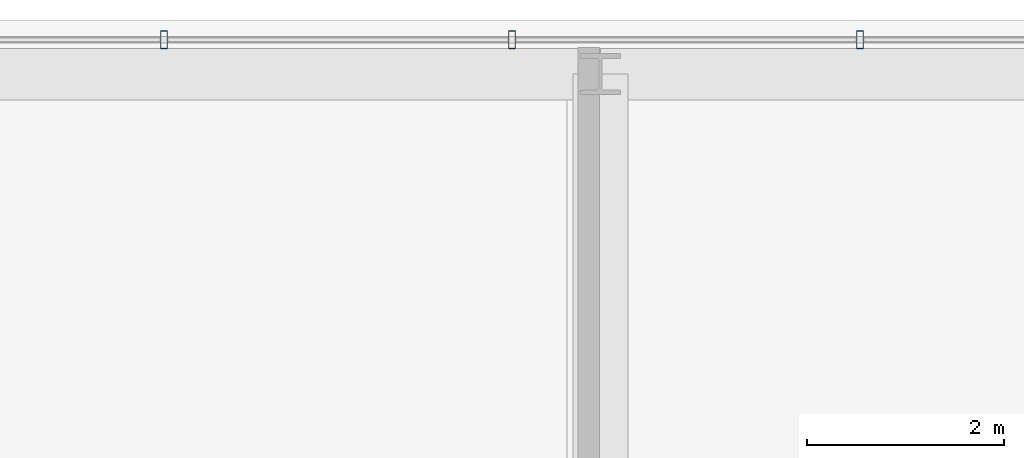
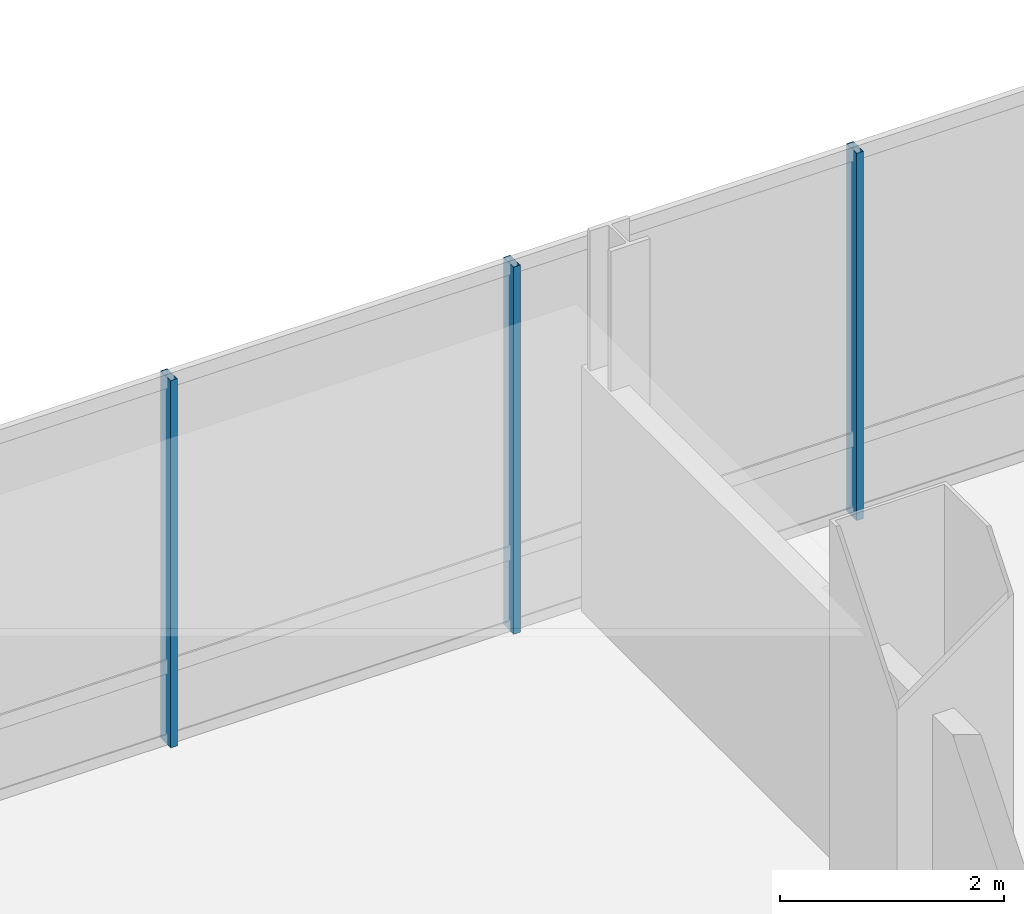
# One storey, part 27 of 41: 3 members, 1 element without a shape of its own.
"""IFC4 building model written with IfcOpenShell, lengths in metres."""

from ifc_helpers import new_model, si_unit, direction, frame, origin, origin_2d, place, context, subcontext, project, spatial, hollow_rectangle, extrude, material, material_profile, profile_set, type_object, element, aggregate, save


model = new_model("IFC4")

# Units and contexts
model_context = context("Model", 3, precision=1e-05, world=origin(), true_north=direction((0.0, 1.0)))
body_context = subcontext(model_context, "Body", "Model", "MODEL_VIEW")
ifc_project = project(units=[si_unit("LENGTHUNIT", "METRE"), si_unit("AREAUNIT", "SQUARE_METRE"), si_unit("VOLUMEUNIT", "CUBIC_METRE"), si_unit("PLANEANGLEUNIT", "RADIAN"), si_unit("MASSUNIT", "GRAM", prefix="KILO")], contexts=[model_context])

# Site, building, storey
site_placement = place(None, origin())
site = spatial("IfcSite", under=ifc_project, at=site_placement, CompositionType="ELEMENT")
building_placement = place(site_placement, origin())
building = spatial("IfcBuilding", under=site, at=building_placement, Name="Punatoya Terracotta Tower", CompositionType="ELEMENT")
storey_placement = place(building_placement, frame((0.0, 0.0, 288.0)))
storey = spatial("IfcBuildingStorey", under=building, at=storey_placement, Name="L68", CompositionType="ELEMENT", Elevation=288.0)

# Curtain wall, members
ifc_material_1 = material(Name="Aluminium 6063-T6 + Double Low-E Glass", Category="aluminium")
curtain_wall_type = type_object("IfcCurtainWallType", Name="CW-M3", PredefinedType="NOTDEFINED", material=ifc_material_1)
curtain_wall_placement = place(storey_placement, origin())
curtain_wall = element("IfcCurtainWall", 1, at=curtain_wall_placement, inside=storey, type_object=curtain_wall_type, Name="L68 Curtain Wall CW-L68-N09-1", PredefinedType="NOTDEFINED")
ifc_material_2 = material(Name="Aluminium 6063-T6", Category="aluminium")
ifc_material_profile = material_profile(ifc_material_2, hollow_rectangle(XDim=0.070068359375, YDim=0.179931640625, WallThickness=0.00390625, at=origin_2d()))
ifc_profile_set = profile_set([ifc_material_profile], Name="Aluminium 6063-T6")
member_type = type_object("IfcMemberType", Name="CW-MUL-M3", PredefinedType="MULLION", material=ifc_profile_set)
member_1_placement = place(storey_placement, frame((6.43505859375, 23.25, 0.0), z_axis=(0.0, 0.0, 1.0), x_axis=(1.0, 0.0, 0.0)))
member_1 = element("IfcMember", 2, at=member_1_placement, type_object=member_type, Name="CW-L68-N09-1 Mullion 03", PredefinedType="MULLION", context=body_context, shape_type="SweptSolid", body=[
    extrude(hollow_rectangle(XDim=0.070068359375, YDim=0.179931640625, WallThickness=0.00390625, at=origin_2d()), origin(), (0.0, 0.0, 1.0), 4.0),
])
member_2_placement = place(storey_placement, frame((2.90087890625, 23.25, 0.0), z_axis=(0.0, 0.0, 1.0), x_axis=(1.0, 0.0, 0.0)))
member_2 = element("IfcMember", 3, at=member_2_placement, type_object=member_type, Name="CW-L68-N09-1 Mullion 04", PredefinedType="MULLION", context=body_context, shape_type="SweptSolid", body=[
    extrude(hollow_rectangle(XDim=0.070068359375, YDim=0.179931640625, WallThickness=0.00390625, at=origin_2d()), origin(), (0.0, 0.0, 1.0), 4.0),
])
member_3_placement = place(storey_placement, frame((-0.633056640625, 23.25, 0.0), z_axis=(0.0, 0.0, 1.0), x_axis=(1.0, 0.0, 0.0)))
member_3 = element("IfcMember", 4, at=member_3_placement, type_object=member_type, Name="CW-L68-N09-1 Mullion 05", PredefinedType="MULLION", context=body_context, shape_type="SweptSolid", body=[
    extrude(hollow_rectangle(XDim=0.070068359375, YDim=0.179931640625, WallThickness=0.00390625, at=origin_2d()), origin(), (0.0, 0.0, 1.0), 4.0),
])
aggregate(curtain_wall, [member_1, member_2, member_3])

save(model, "model.ifc")
